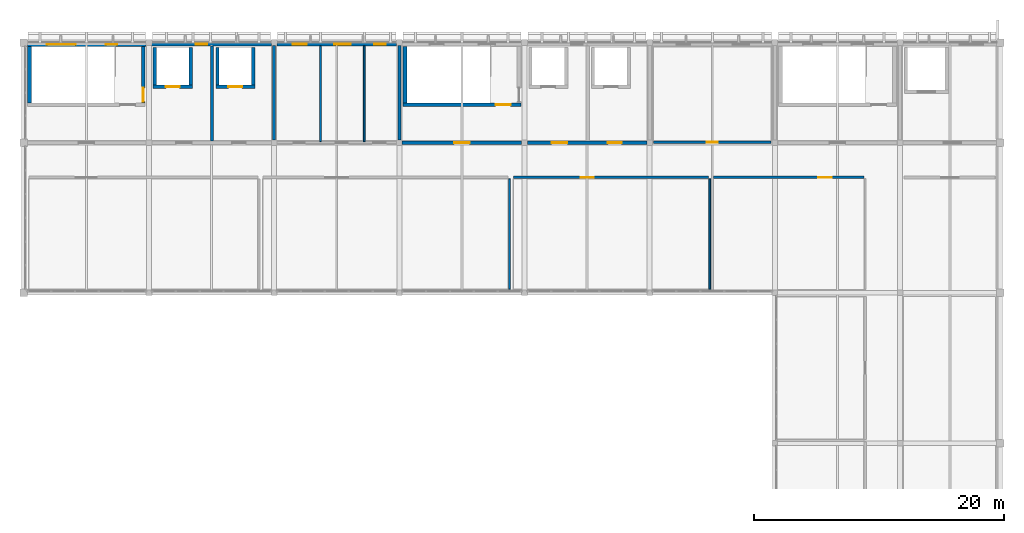
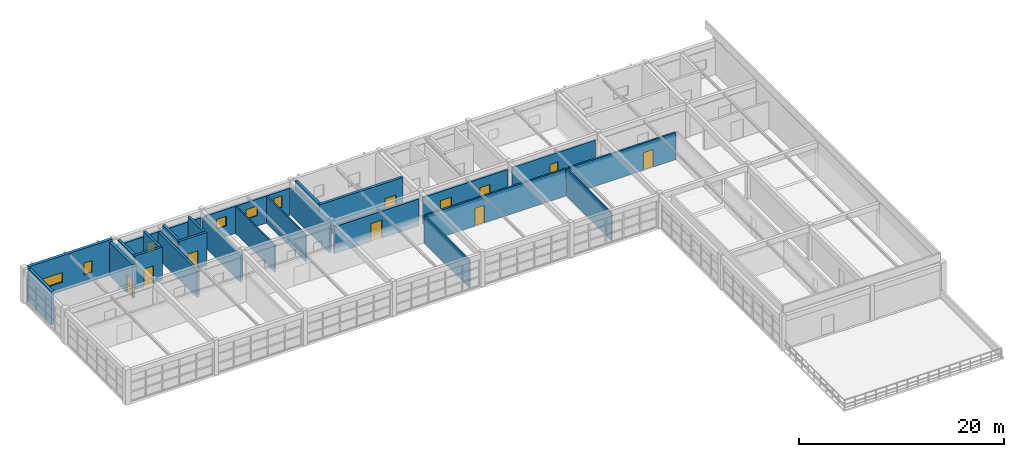
# One storey, part 13 of 16: 25 walls, 10 doors, 6 windows, 16 openings.
"""IFC4 building model written with IfcOpenShell, lengths in metres."""

from ifc_helpers import new_model, si_unit, direction, frame, frame_2d, origin, place, context, subcontext, project, spatial, rectangle, extrude, material, layer, layer_set, type_object, element, fill, save


model = new_model("IFC4")

# Units and contexts
model_context = context("Model", 3, precision=1e-05, world=origin(), true_north=direction((0.0, 1.0)))
body_context = subcontext(model_context, "Body", "Model", "MODEL_VIEW")
ifc_project = project(units=[si_unit("LENGTHUNIT", "METRE"), si_unit("AREAUNIT", "SQUARE_METRE"), si_unit("VOLUMEUNIT", "CUBIC_METRE"), si_unit("PLANEANGLEUNIT", "RADIAN"), si_unit("MASSUNIT", "GRAM", prefix="KILO")], contexts=[model_context])

# Site, building, storey
site_placement = place(None, origin())
site = spatial("IfcSite", under=ifc_project, at=site_placement, CompositionType="ELEMENT")
building_placement = place(site_placement, origin())
building = spatial("IfcBuilding", under=site, at=building_placement, Name="Kivolera Central Railway Station", CompositionType="ELEMENT")
storey_placement = place(building_placement, frame((0.0, 0.0, 27.0)))
storey = spatial("IfcBuildingStorey", under=building, at=storey_placement, Name="L06", CompositionType="ELEMENT", Elevation=27.0)

# Wall, opening, door
ifc_material_1 = material(Name="Swahili coral limestone", Category="masonry")
ifc_layer_1 = layer(ifc_material_1, 0.199951171875, Name="Swahili coral limestone")
ifc_layer_set_1 = layer_set([ifc_layer_1], Name="Swahili coral limestone")
wall_type_1 = type_object("IfcWallType", Name="WL-COR-200", PredefinedType="PARTITIONING", material=ifc_layer_set_1)
wall_1_placement = place(storey_placement, frame((168.300048828125, 126.030029296875, 0.0), z_axis=(0.0, 0.0, 1.0), x_axis=(1.0, 0.0, 0.0)))
wall_1 = element("IfcWall", 1, at=wall_1_placement, inside=storey, type_object=wall_type_1, Name="L06 Rail Safety Examination Classroom Corridor Wall", PredefinedType="PARTITIONING", context=body_context, shape_type="SweptSolid", body=[
    extrude(rectangle(XDim=9.39990234375, YDim=0.199951171875, at=frame_2d((4.699951171875, 0.0))), origin(), (0.0, 0.0, 1.0), 3.218017578125),
])
opening_1_placement = place(wall_1_placement, frame((4.25, 0.0, 0.0)))
opening_1 = element("IfcOpeningElement", 2, at=opening_1_placement, cuts=wall_1, Name="Opening D-SG-01", PredefinedType="OPENING", context=body_context, shape_type="SweptSolid", body=[
    extrude(rectangle(XDim=0.89990234375, YDim=2.10009765625, at=frame_2d((0.449951171875, 1.050048828125))), frame((0.0, 0.10986328125, 0.0), z_axis=(0.0, -1.0, 0.0), x_axis=(1.0, 0.0, 0.0)), (0.0, 0.0, 1.0), 0.219970703125),
])
ifc_material_2 = material(Name="Hardwood mvule timber", Category="wood")
door_type_1 = type_object("IfcDoorType", Name="DR-D-SG-01", OperationType="NOTDEFINED", PredefinedType="DOOR", material=ifc_material_2)
door_1_placement = place(opening_1_placement, origin())
door_1 = element("IfcDoor", 3, at=door_1_placement, inside=storey, type_object=door_type_1, Name="L06 Rail Safety Examination Classroom Door", OperationType="SINGLE_SWING_LEFT", OverallHeight=2.10009765625, OverallWidth=0.89990234375, PredefinedType="DOOR", context=body_context, shape_type="SweptSolid", body=[
    extrude(rectangle(XDim=0.89990234375, YDim=2.10009765625, at=frame_2d((0.449951171875, 1.050048828125))), frame((0.0, 0.02490234375, 0.0), z_axis=(0.0, -1.0, 0.0), x_axis=(1.0, 0.0, 0.0)), (0.0, 0.0, 1.0), 0.050048828125),
])
fill(opening_1, door_1)

wall_2_placement = place(storey_placement, frame((157.10009765625, 123.219970703125, 0.0), z_axis=(0.0, 0.0, 1.0), x_axis=(1.0, 0.0, 0.0)))
wall_2 = element("IfcWall", 4, at=wall_2_placement, inside=storey, type_object=wall_type_1, Name="L06 Network Timetable Planning Office Corridor Wall", PredefinedType="PARTITIONING", context=body_context, shape_type="SweptSolid", body=[
    extrude(rectangle(XDim=15.599853515625, YDim=0.199951171875, at=frame_2d((7.7998046875, 0.0))), origin(), (0.0, 0.0, 1.0), 3.218017578125),
])
opening_2_placement = place(wall_2_placement, frame((5.375, 0.0, 0.0)))
opening_2 = element("IfcOpeningElement", 5, at=opening_2_placement, cuts=wall_2, Name="Opening D-SG-04", PredefinedType="OPENING", context=body_context, shape_type="SweptSolid", body=[
    extrude(rectangle(XDim=1.050048828125, YDim=2.10009765625, at=frame_2d((0.52490234375, 1.050048828125))), frame((0.0, 0.10986328125, 0.0), z_axis=(0.0, -1.0, 0.0), x_axis=(1.0, 0.0, 0.0)), (0.0, 0.0, 1.0), 0.219970703125),
])
door_type_2 = type_object("IfcDoorType", Name="DR-D-SG-04", OperationType="NOTDEFINED", PredefinedType="DOOR", material=ifc_material_2)
door_2_placement = place(opening_2_placement, origin())
door_2 = element("IfcDoor", 6, at=door_2_placement, inside=storey, type_object=door_type_2, Name="L06 Network Timetable Planning Office Door", OperationType="SINGLE_SWING_RIGHT", OverallHeight=2.10009765625, OverallWidth=1.050048828125, PredefinedType="DOOR", context=body_context, shape_type="SweptSolid", body=[
    extrude(rectangle(XDim=1.050048828125, YDim=2.10009765625, at=frame_2d((0.52490234375, 1.050048828125))), frame((0.0, 0.02490234375, 0.0), z_axis=(0.0, -1.0, 0.0), x_axis=(1.0, 0.0, 0.0)), (0.0, 0.0, 1.0), 0.050048828125),
])
fill(opening_2, door_2)

wall_3_placement = place(storey_placement, frame((173.10009765625, 123.219970703125, 0.0), z_axis=(0.0, 0.0, 1.0), x_axis=(1.0, 0.0, 0.0)))
wall_3 = element("IfcWall", 7, at=wall_3_placement, inside=storey, type_object=wall_type_1, Name="L06 Railway Signalling Design Studio Corridor Wall", PredefinedType="PARTITIONING", context=body_context, shape_type="SweptSolid", body=[
    extrude(rectangle(XDim=12.0, YDim=0.199951171875, at=frame_2d((6.0, 0.0))), origin(), (0.0, 0.0, 1.0), 3.218017578125),
])
opening_3_placement = place(wall_3_placement, frame((8.35009765625, 0.0, 0.0)))
opening_3 = element("IfcOpeningElement", 8, at=opening_3_placement, cuts=wall_3, Name="Opening D-SG-05", PredefinedType="OPENING", context=body_context, shape_type="SweptSolid", body=[
    extrude(rectangle(XDim=1.10009765625, YDim=2.10009765625, at=frame_2d((0.550048828125, 1.050048828125))), frame((0.0, 0.10986328125, 0.0), z_axis=(0.0, -1.0, 0.0), x_axis=(1.0, 0.0, 0.0)), (0.0, 0.0, 1.0), 0.219970703125),
])
door_type_3 = type_object("IfcDoorType", Name="DR-D-SG-05", OperationType="NOTDEFINED", PredefinedType="DOOR", material=ifc_material_2)
door_3_placement = place(opening_3_placement, origin())
door_3 = element("IfcDoor", 9, at=door_3_placement, inside=storey, type_object=door_type_3, Name="L06 Railway Signalling Design Studio Door", OperationType="SINGLE_SWING_LEFT", OverallHeight=2.10009765625, OverallWidth=1.10009765625, PredefinedType="DOOR", context=body_context, shape_type="SweptSolid", body=[
    extrude(rectangle(XDim=1.10009765625, YDim=2.10009765625, at=frame_2d((0.550048828125, 1.050048828125))), frame((0.0, 0.02490234375, 0.0), z_axis=(0.0, -1.0, 0.0), x_axis=(1.0, 0.0, 0.0)), (0.0, 0.0, 1.0), 0.050048828125),
])
fill(opening_3, door_3)

ifc_material_3 = material(Name="Concrete C40/50", Category="concrete")
ifc_layer_2 = layer(ifc_material_3, 0.300048828125, Name="Concrete C40/50")
ifc_layer_set_2 = layer_set([ifc_layer_2], Name="Concrete C40/50")
wall_type_2 = type_object("IfcWallType", Name="WL-CORE-300", PredefinedType="SHEAR", material=ifc_layer_set_2)
wall_4_placement = place(storey_placement, frame((127.550048828125, 133.679931640625, 0.0), z_axis=(0.0, 0.0, 1.0), x_axis=(0.0, -1.0, 0.0)))
wall_4 = element("IfcWall", 10, at=wall_4_placement, inside=storey, type_object=wall_type_2, Name="L06 ST1 Core Near Shear Wall", PredefinedType="SHEAR", context=body_context, shape_type="SweptSolid", body=[
    extrude(rectangle(XDim=4.5, YDim=0.300048828125, at=frame_2d((2.25, 0.0))), origin(), (0.0, 0.0, 1.0), 3.97998046875),
])
opening_4_placement = place(wall_4_placement, frame((3.300048828125, 0.0, 0.0)))
opening_4 = element("IfcOpeningElement", 11, at=opening_4_placement, cuts=wall_4, Name="Opening D-FFL-1100", PredefinedType="OPENING", context=body_context, shape_type="SweptSolid", body=[
    extrude(rectangle(XDim=1.10009765625, YDim=2.14990234375, at=frame_2d((0.550048828125, 1.074951171875))), frame((0.0, 0.159912109375, 0.0), z_axis=(0.0, -1.0, 0.0), x_axis=(1.0, 0.0, 0.0)), (0.0, 0.0, 1.0), 0.320068359375),
])
door_type_4 = type_object("IfcDoorType", Name="DR-D-FFL-1100", OperationType="NOTDEFINED", PredefinedType="DOOR", material=ifc_material_2)
door_4_placement = place(opening_4_placement, origin())
door_4 = element("IfcDoor", 12, at=door_4_placement, inside=storey, type_object=door_type_4, Name="L06 Firefighting Lobby to ST1 Fire Door", OperationType="SINGLE_SWING_RIGHT", OverallHeight=2.14990234375, OverallWidth=1.10009765625, PredefinedType="DOOR", context=body_context, shape_type="SweptSolid", body=[
    extrude(rectangle(XDim=1.10009765625, YDim=2.14990234375, at=frame_2d((0.550048828125, 1.074951171875))), frame((0.0, 0.02490234375, 0.0), z_axis=(0.0, -1.0, 0.0), x_axis=(1.0, 0.0, 0.0)), (0.0, 0.0, 1.0), 0.050048828125),
])
fill(opening_4, door_4)

# Wall
wall_5_placement = place(storey_placement, frame((118.449951171875, 129.179931640625, 0.0), z_axis=(0.0, 0.0, 1.0), x_axis=(0.0, 1.0, 0.0)))
element("IfcWall", 13, at=wall_5_placement, inside=storey, type_object=wall_type_2, Name="L06 ST1 Core Far Shear Wall", PredefinedType="SHEAR", context=body_context, shape_type="SweptSolid", body=[
    extrude(rectangle(XDim=4.5, YDim=0.300048828125, at=frame_2d((2.25, 0.0))), origin(), (0.0, 0.0, 1.0), 3.97998046875),
])

# Wall, opening, door
wall_6_placement = place(storey_placement, frame((157.699951171875, 129.030029296875, 0.0), z_axis=(0.0, 0.0, 1.0), x_axis=(-1.0, 0.0, 0.0)))
wall_6 = element("IfcWall", 14, at=wall_6_placement, inside=storey, type_object=wall_type_2, Name="L06 ST2 Core Right Shear Wall", PredefinedType="SHEAR", context=body_context, shape_type="SweptSolid", body=[
    extrude(rectangle(XDim=9.39990234375, YDim=0.300048828125, at=frame_2d((4.699951171875, 0.0))), origin(), (0.0, 0.0, 1.0), 3.97998046875),
])
opening_5_placement = place(wall_6_placement, frame((0.800048828125, 0.0, 0.0)))
opening_5 = element("IfcOpeningElement", 15, at=opening_5_placement, cuts=wall_6, Name="Opening D-STAIR-1200", PredefinedType="OPENING", context=body_context, shape_type="SweptSolid", body=[
    extrude(rectangle(XDim=1.199951171875, YDim=2.14990234375, at=frame_2d((0.60009765625, 1.074951171875))), frame((0.0, 0.159912109375, 0.0), z_axis=(0.0, -1.0, 0.0), x_axis=(1.0, 0.0, 0.0)), (0.0, 0.0, 1.0), 0.320068359375),
])
door_type_5 = type_object("IfcDoorType", Name="DR-D-STAIR-1200", OperationType="NOTDEFINED", PredefinedType="DOOR", material=ifc_material_2)
door_5_placement = place(opening_5_placement, origin())
door_5 = element("IfcDoor", 16, at=door_5_placement, inside=storey, type_object=door_type_5, Name="L06 ST2 Vestibule Fire Door", OperationType="SINGLE_SWING_LEFT", OverallHeight=2.14990234375, OverallWidth=1.199951171875, PredefinedType="DOOR", context=body_context, shape_type="SweptSolid", body=[
    extrude(rectangle(XDim=1.199951171875, YDim=2.14990234375, at=frame_2d((0.60009765625, 1.074951171875))), frame((0.0, 0.02490234375, 0.0), z_axis=(0.0, -1.0, 0.0), x_axis=(1.0, 0.0, 0.0)), (0.0, 0.0, 1.0), 0.050048828125),
])
fill(opening_5, door_5)

# Wall
wall_7_placement = place(storey_placement, frame((148.449951171875, 129.179931640625, 0.0), z_axis=(0.0, 0.0, 1.0), x_axis=(0.0, 1.0, 0.0)))
element("IfcWall", 17, at=wall_7_placement, inside=storey, type_object=wall_type_2, Name="L06 ST2 Core Far Shear Wall", PredefinedType="SHEAR", context=body_context, shape_type="SweptSolid", body=[
    extrude(rectangle(XDim=4.5, YDim=0.300048828125, at=frame_2d((2.25, 0.0))), origin(), (0.0, 0.0, 1.0), 3.97998046875),
])

# Wall, openings, windows
ifc_layer_3 = layer(ifc_material_3, 0.320068359375, Name="Concrete C40/50")
ifc_layer_set_3 = layer_set([ifc_layer_3], Name="Concrete C40/50")
wall_type_3 = type_object("IfcWallType", Name="WL-CORE-EXT-320", PredefinedType="SHEAR", material=ifc_layer_set_3)
wall_8_placement = place(storey_placement, frame((118.294921875, 133.840087890625, 0.0), z_axis=(0.0, 0.0, 1.0), x_axis=(1.0, 0.0, 0.0)))
wall_8 = element("IfcWall", 18, at=wall_8_placement, inside=storey, type_object=wall_type_3, Name="L06 North Street Facade Wall Bay 1", PredefinedType="SHEAR", context=body_context, shape_type="SweptSolid", body=[
    extrude(rectangle(XDim=9.485107421875, YDim=0.320068359375, at=frame_2d((4.74267578125, 0.0))), origin(), (0.0, 0.0, 1.0), 4.199951171875),
])
opening_6_placement = place(wall_8_placement, frame((1.554931640625, 0.0, 1.050048828125)))
opening_6 = element("IfcOpeningElement", 19, at=opening_6_placement, cuts=wall_8, Name="Opening WN-08", PredefinedType="OPENING", context=body_context, shape_type="SweptSolid", body=[
    extrude(rectangle(XDim=2.300048828125, YDim=1.14990234375, at=frame_2d((1.14990234375, 0.574951171875))), frame((0.0, 0.169921875, 0.0), z_axis=(0.0, -1.0, 0.0), x_axis=(1.0, 0.0, 0.0)), (0.0, 0.0, 1.0), 0.340087890625),
])
opening_7_placement = place(wall_8_placement, frame((6.2548828125, 0.0, 1.050048828125)))
opening_7 = element("IfcOpeningElement", 20, at=opening_7_placement, cuts=wall_8, Name="Opening WN-13", PredefinedType="OPENING", context=body_context, shape_type="SweptSolid", body=[
    extrude(rectangle(XDim=0.89990234375, YDim=1.39990234375, at=frame_2d((0.449951171875, 0.699951171875))), frame((0.0, 0.169921875, 0.0), z_axis=(0.0, -1.0, 0.0), x_axis=(1.0, 0.0, 0.0)), (0.0, 0.0, 1.0), 0.340087890625),
])
ifc_material_4 = material(Name="Double low-E laminated glass", Category="glass")
window_type_1 = type_object("IfcWindowType", Name="WIN-WN-08", PartitioningType="SINGLE_PANEL", PredefinedType="WINDOW", material=ifc_material_4)
window_1_placement = place(opening_6_placement, origin())
window_1 = element("IfcWindow", 21, at=window_1_placement, inside=storey, type_object=window_type_1, Name="L06 North Street Window Bay 1.1", OverallHeight=1.14990234375, OverallWidth=2.300048828125, PartitioningType="SINGLE_PANEL", PredefinedType="WINDOW", context=body_context, shape_type="SweptSolid", body=[
    extrude(rectangle(XDim=2.300048828125, YDim=1.14990234375, at=frame_2d((1.14990234375, 0.574951171875))), frame((0.0, 0.030029296875, 0.0), z_axis=(0.0, -1.0, 0.0), x_axis=(1.0, 0.0, 0.0)), (0.0, 0.0, 1.0), 0.06005859375),
])
fill(opening_6, window_1)
window_type_2 = type_object("IfcWindowType", Name="WIN-WN-13", PartitioningType="SINGLE_PANEL", PredefinedType="WINDOW", material=ifc_material_4)
window_2_placement = place(opening_7_placement, origin())
window_2 = element("IfcWindow", 22, at=window_2_placement, inside=storey, type_object=window_type_2, Name="L06 North Street Window Bay 1.2", OverallHeight=1.39990234375, OverallWidth=0.89990234375, PartitioningType="SINGLE_PANEL", PredefinedType="WINDOW", context=body_context, shape_type="SweptSolid", body=[
    extrude(rectangle(XDim=0.89990234375, YDim=1.39990234375, at=frame_2d((0.449951171875, 0.699951171875))), frame((0.0, 0.030029296875, 0.0), z_axis=(0.0, -1.0, 0.0), x_axis=(1.0, 0.0, 0.0)), (0.0, 0.0, 1.0), 0.06005859375),
])
fill(opening_7, window_2)

# Wall, opening, window
ifc_layer_4 = layer(ifc_material_1, 0.27001953125, Name="Swahili coral limestone")
ifc_layer_set_4 = layer_set([ifc_layer_4], Name="Swahili coral limestone")
wall_type_4 = type_object("IfcWallType", Name="WL-EXT-CORAL-270", PredefinedType="SOLIDWALL", material=ifc_layer_set_4)
wall_9_placement = place(storey_placement, frame((128.219970703125, 133.864990234375, 0.0), z_axis=(0.0, 0.0, 1.0), x_axis=(1.0, 0.0, 0.0)))
wall_9 = element("IfcWall", 23, at=wall_9_placement, inside=storey, type_object=wall_type_4, Name="L06 North Street Facade Wall Bay 2", PredefinedType="SOLIDWALL", context=body_context, shape_type="SweptSolid", body=[
    extrude(rectangle(XDim=9.56005859375, YDim=0.27001953125, at=frame_2d((4.780029296875, 0.0))), origin(), (0.0, 0.0, 1.0), 3.218017578125),
])
opening_8_placement = place(wall_9_placement, frame((3.530029296875, 0.0, 1.050048828125)))
opening_8 = element("IfcOpeningElement", 24, at=opening_8_placement, cuts=wall_9, Name="Opening WN-01", PredefinedType="OPENING", context=body_context, shape_type="SweptSolid", body=[
    extrude(rectangle(XDim=0.89990234375, YDim=1.14990234375, at=frame_2d((0.449951171875, 0.574951171875))), frame((0.0, 0.14501953125, 0.0), z_axis=(0.0, -1.0, 0.0), x_axis=(1.0, 0.0, 0.0)), (0.0, 0.0, 1.0), 0.2900390625),
])
window_type_3 = type_object("IfcWindowType", Name="WIN-WN-01", PartitioningType="SINGLE_PANEL", PredefinedType="WINDOW", material=ifc_material_4)
window_3_placement = place(opening_8_placement, origin())
window_3 = element("IfcWindow", 25, at=window_3_placement, inside=storey, type_object=window_type_3, Name="L06 North Street Window Bay 2.1", OverallHeight=1.14990234375, OverallWidth=0.89990234375, PartitioningType="SINGLE_PANEL", PredefinedType="WINDOW", context=body_context, shape_type="SweptSolid", body=[
    extrude(rectangle(XDim=0.89990234375, YDim=1.14990234375, at=frame_2d((0.449951171875, 0.574951171875))), frame((0.0, 0.030029296875, 0.0), z_axis=(0.0, -1.0, 0.0), x_axis=(1.0, 0.0, 0.0)), (0.0, 0.0, 1.0), 0.06005859375),
])
fill(opening_8, window_3)

# Wall, openings, windows
wall_10_placement = place(storey_placement, frame((138.219970703125, 133.864990234375, 0.0), z_axis=(0.0, 0.0, 1.0), x_axis=(1.0, 0.0, 0.0)))
wall_10 = element("IfcWall", 26, at=wall_10_placement, inside=storey, type_object=wall_type_4, Name="L06 North Street Facade Wall Bay 3", PredefinedType="SOLIDWALL", context=body_context, shape_type="SweptSolid", body=[
    extrude(rectangle(XDim=9.56005859375, YDim=0.27001953125, at=frame_2d((4.780029296875, 0.0))), origin(), (0.0, 0.0, 1.0), 3.218017578125),
])
opening_9_placement = place(wall_10_placement, frame((1.280029296875, 0.0, 1.25)))
opening_9 = element("IfcOpeningElement", 27, at=opening_9_placement, cuts=wall_10, Name="Opening WN-02", PredefinedType="OPENING", context=body_context, shape_type="SweptSolid", body=[
    extrude(rectangle(XDim=1.10009765625, YDim=1.14990234375, at=frame_2d((0.550048828125, 0.574951171875))), frame((0.0, 0.14501953125, 0.0), z_axis=(0.0, -1.0, 0.0), x_axis=(1.0, 0.0, 0.0)), (0.0, 0.0, 1.0), 0.2900390625),
])
opening_10_placement = place(wall_10_placement, frame((4.580078125, 0.0, 1.25)))
opening_10 = element("IfcOpeningElement", 28, at=opening_10_placement, cuts=wall_10, Name="Opening WN-03", PredefinedType="OPENING", context=body_context, shape_type="SweptSolid", body=[
    extrude(rectangle(XDim=1.300048828125, YDim=1.14990234375, at=frame_2d((0.64990234375, 0.574951171875))), frame((0.0, 0.14501953125, 0.0), z_axis=(0.0, -1.0, 0.0), x_axis=(1.0, 0.0, 0.0)), (0.0, 0.0, 1.0), 0.2900390625),
])
opening_11_placement = place(wall_10_placement, frame((7.780029296875, 0.0, 1.25)))
opening_11 = element("IfcOpeningElement", 29, at=opening_11_placement, cuts=wall_10, Name="Opening WN-13", PredefinedType="OPENING", context=body_context, shape_type="SweptSolid", body=[
    extrude(rectangle(XDim=0.89990234375, YDim=1.39990234375, at=frame_2d((0.449951171875, 0.699951171875))), frame((0.0, 0.14501953125, 0.0), z_axis=(0.0, -1.0, 0.0), x_axis=(1.0, 0.0, 0.0)), (0.0, 0.0, 1.0), 0.2900390625),
])
window_type_4 = type_object("IfcWindowType", Name="WIN-WN-02", PartitioningType="SINGLE_PANEL", PredefinedType="WINDOW", material=ifc_material_4)
window_4_placement = place(opening_9_placement, origin())
window_4 = element("IfcWindow", 30, at=window_4_placement, inside=storey, type_object=window_type_4, Name="L06 North Street Window Bay 3.1", OverallHeight=1.14990234375, OverallWidth=1.10009765625, PartitioningType="SINGLE_PANEL", PredefinedType="WINDOW", context=body_context, shape_type="SweptSolid", body=[
    extrude(rectangle(XDim=1.10009765625, YDim=1.14990234375, at=frame_2d((0.550048828125, 0.574951171875))), frame((0.0, 0.030029296875, 0.0), z_axis=(0.0, -1.0, 0.0), x_axis=(1.0, 0.0, 0.0)), (0.0, 0.0, 1.0), 0.06005859375),
])
fill(opening_9, window_4)
window_type_5 = type_object("IfcWindowType", Name="WIN-WN-03", PartitioningType="SINGLE_PANEL", PredefinedType="WINDOW", material=ifc_material_4)
window_5_placement = place(opening_10_placement, origin())
window_5 = element("IfcWindow", 31, at=window_5_placement, inside=storey, type_object=window_type_5, Name="L06 North Street Window Bay 3.2", OverallHeight=1.14990234375, OverallWidth=1.300048828125, PartitioningType="SINGLE_PANEL", PredefinedType="WINDOW", context=body_context, shape_type="SweptSolid", body=[
    extrude(rectangle(XDim=1.300048828125, YDim=1.14990234375, at=frame_2d((0.64990234375, 0.574951171875))), frame((0.0, 0.030029296875, 0.0), z_axis=(0.0, -1.0, 0.0), x_axis=(1.0, 0.0, 0.0)), (0.0, 0.0, 1.0), 0.06005859375),
])
fill(opening_10, window_5)
window_6_placement = place(opening_11_placement, origin())
window_6 = element("IfcWindow", 32, at=window_6_placement, inside=storey, type_object=window_type_2, Name="L06 North Street Window Bay 3.3", OverallHeight=1.39990234375, OverallWidth=0.89990234375, PartitioningType="SINGLE_PANEL", PredefinedType="WINDOW", context=body_context, shape_type="SweptSolid", body=[
    extrude(rectangle(XDim=0.89990234375, YDim=1.39990234375, at=frame_2d((0.449951171875, 0.699951171875))), frame((0.0, 0.030029296875, 0.0), z_axis=(0.0, -1.0, 0.0), x_axis=(1.0, 0.0, 0.0)), (0.0, 0.0, 1.0), 0.06005859375),
])
fill(opening_11, window_6)

# Wall, opening, door
ifc_layer_5 = layer(ifc_material_3, 0.25, Name="Concrete C40/50")
ifc_layer_set_5 = layer_set([ifc_layer_5], Name="Concrete C40/50")
wall_type_5 = type_object("IfcWallType", Name="WL-FFL-250", PredefinedType="PARTITIONING", material=ifc_layer_set_5)
wall_11_placement = place(storey_placement, frame((148.22998046875, 126.0, 0.0), z_axis=(0.0, 0.0, 1.0), x_axis=(1.0, 0.0, 0.0)))
wall_11 = element("IfcWall", 33, at=wall_11_placement, inside=storey, type_object=wall_type_5, Name="L06 North Core Corridor Wall 148", PredefinedType="PARTITIONING", context=body_context, shape_type="SweptSolid", body=[
    extrude(rectangle(XDim=9.5400390625, YDim=0.25, at=frame_2d((4.77001953125, 0.0))), origin(), (0.0, 0.0, 1.0), 3.218017578125),
])
opening_12_placement = place(wall_11_placement, frame((4.14501953125, 0.0, 0.0)))
opening_12 = element("IfcOpeningElement", 34, at=opening_12_placement, cuts=wall_11, Name="Opening D-FFL-1250", PredefinedType="OPENING", context=body_context, shape_type="SweptSolid", body=[
    extrude(rectangle(XDim=1.25, YDim=2.14990234375, at=frame_2d((0.625, 1.074951171875))), frame((0.0, 0.135009765625, 0.0), z_axis=(0.0, -1.0, 0.0), x_axis=(1.0, 0.0, 0.0)), (0.0, 0.0, 1.0), 0.27001953125),
])
door_type_6 = type_object("IfcDoorType", Name="DR-D-FFL-1250", OperationType="NOTDEFINED", PredefinedType="DOOR", material=ifc_material_2)
door_6_placement = place(opening_12_placement, origin())
door_6 = element("IfcDoor", 35, at=door_6_placement, inside=storey, type_object=door_type_6, Name="L06 ST2 Vestibule Corridor Door", OperationType="SINGLE_SWING_RIGHT", OverallHeight=2.14990234375, OverallWidth=1.25, PredefinedType="DOOR", context=body_context, shape_type="SweptSolid", body=[
    extrude(rectangle(XDim=1.25, YDim=2.14990234375, at=frame_2d((0.625, 1.074951171875))), frame((0.0, 0.02490234375, 0.0), z_axis=(0.0, -1.0, 0.0), x_axis=(1.0, 0.0, 0.0)), (0.0, 0.0, 1.0), 0.050048828125),
])
fill(opening_12, door_6)

# Wall, openings, doors
wall_12_placement = place(storey_placement, frame((158.22998046875, 126.0, 0.0), z_axis=(0.0, 0.0, 1.0), x_axis=(1.0, 0.0, 0.0)))
wall_12 = element("IfcWall", 36, at=wall_12_placement, inside=storey, type_object=wall_type_5, Name="L06 North Core Corridor Wall 158", PredefinedType="PARTITIONING", context=body_context, shape_type="SweptSolid", body=[
    extrude(rectangle(XDim=9.5400390625, YDim=0.25, at=frame_2d((4.77001953125, 0.0))), origin(), (0.0, 0.0, 1.0), 3.218017578125),
])
opening_13_placement = place(wall_12_placement, frame((1.945068359375, 0.0, 0.0)))
opening_13 = element("IfcOpeningElement", 37, at=opening_13_placement, cuts=wall_12, Name="Opening D-FFL-1250", PredefinedType="OPENING", context=body_context, shape_type="SweptSolid", body=[
    extrude(rectangle(XDim=1.25, YDim=2.14990234375, at=frame_2d((0.625, 1.074951171875))), frame((0.0, 0.135009765625, 0.0), z_axis=(0.0, -1.0, 0.0), x_axis=(1.0, 0.0, 0.0)), (0.0, 0.0, 1.0), 0.27001953125),
])
opening_14_placement = place(wall_12_placement, frame((6.419921875, 0.0, 0.0)))
opening_14 = element("IfcOpeningElement", 38, at=opening_14_placement, cuts=wall_12, Name="Opening D-FFL-1100", PredefinedType="OPENING", context=body_context, shape_type="SweptSolid", body=[
    extrude(rectangle(XDim=1.10009765625, YDim=2.14990234375, at=frame_2d((0.550048828125, 1.074951171875))), frame((0.0, 0.135009765625, 0.0), z_axis=(0.0, -1.0, 0.0), x_axis=(1.0, 0.0, 0.0)), (0.0, 0.0, 1.0), 0.27001953125),
])
door_7_placement = place(opening_14_placement, origin())
door_7 = element("IfcDoor", 39, at=door_7_placement, inside=storey, type_object=door_type_4, Name="L06 PL2 Lift Lobby Door", OperationType="SINGLE_SWING_RIGHT", OverallHeight=2.14990234375, OverallWidth=1.10009765625, PredefinedType="DOOR", context=body_context, shape_type="SweptSolid", body=[
    extrude(rectangle(XDim=1.10009765625, YDim=2.14990234375, at=frame_2d((0.550048828125, 1.074951171875))), frame((0.0, 0.02490234375, 0.0), z_axis=(0.0, -1.0, 0.0), x_axis=(1.0, 0.0, 0.0)), (0.0, 0.0, 1.0), 0.050048828125),
])
fill(opening_14, door_7)
door_8_placement = place(opening_13_placement, origin())
door_8 = element("IfcDoor", 40, at=door_8_placement, inside=storey, type_object=door_type_6, Name="L06 FL2 Firefighting Lobby Corridor Fire Door", OperationType="SINGLE_SWING_LEFT", OverallHeight=2.14990234375, OverallWidth=1.25, PredefinedType="DOOR", context=body_context, shape_type="SweptSolid", body=[
    extrude(rectangle(XDim=1.25, YDim=2.14990234375, at=frame_2d((0.625, 1.074951171875))), frame((0.0, 0.02490234375, 0.0), z_axis=(0.0, -1.0, 0.0), x_axis=(1.0, 0.0, 0.0)), (0.0, 0.0, 1.0), 0.050048828125),
])
fill(opening_13, door_8)

# Walls
wall_13_placement = place(storey_placement, frame((133.050048828125, 126.125, 0.0), z_axis=(0.0, 0.0, 1.0), x_axis=(0.0, 1.0, 0.0)))
element("IfcWall", 41, at=wall_13_placement, inside=storey, type_object=wall_type_5, Name="L06 North Core Partition FFL1-DIV", PredefinedType="PARTITIONING", context=body_context, shape_type="SweptSolid", body=[
    extrude(rectangle(XDim=7.60498046875, YDim=0.25, at=frame_2d((3.802490234375, 0.0))), origin(), (0.0, 0.0, 1.0), 3.218017578125),
])
for number, where, z_axis, x_axis, name in (
    (42, (138.0, 126.22998046875, 0.0), (0.0, 0.0, 1.0), (0.0, 1.0, 0.0), "L06 North Core Partition GRID-138"),
    (43, (148.0, 126.22998046875, 0.0), (0.0, 0.0, 1.0), (0.0, 1.0, 0.0), "L06 North Core Partition GRID-148"),
):
    element("IfcWall", number, at=place(storey_placement, frame(where, z_axis=z_axis, x_axis=x_axis)), inside=storey, type_object=wall_type_5, Name=name, PredefinedType="PARTITIONING", context=body_context, shape_type="SweptSolid", body=[
        extrude(rectangle(XDim=7.5400390625, YDim=0.25, at=frame_2d((3.77001953125, 0.0))), origin(), (0.0, 0.0, 1.0), 3.218017578125),
    ])
ifc_material_5 = material(Name="Gypsum plasterboard steel-stud partition")
ifc_layer_6 = layer(ifc_material_5, 0.135009765625, Name="Gypsum plasterboard steel-stud partition")
ifc_layer_set_6 = layer_set([ifc_layer_6], Name="Gypsum plasterboard steel-stud partition")
wall_type_6 = type_object("IfcWallType", Name="WL-PRT-135", PredefinedType="PARTITIONING", material=ifc_layer_set_6)
wall_14_placement = place(storey_placement, frame((172.800048828125, 114.300048828125, 0.0), z_axis=(0.0, 0.0, 1.0), x_axis=(0.0, 1.0, 0.0)))
element("IfcWall", 44, at=wall_14_placement, inside=storey, type_object=wall_type_6, Name="L06 Network Timetable Planning Office Partition Wall", PredefinedType="PARTITIONING", context=body_context, shape_type="SweptSolid", body=[
    extrude(rectangle(XDim=8.800048828125, YDim=0.135009765625, at=frame_2d((4.39990234375, 0.0))), origin(), (0.0, 0.0, 1.0), 3.318115234375),
])
ifc_layer_7 = layer(ifc_material_5, 0.14990234375, Name="Gypsum plasterboard steel-stud partition")
ifc_layer_set_7 = layer_set([ifc_layer_7], Name="Gypsum plasterboard steel-stud partition")
wall_type_7 = type_object("IfcWallType", Name="WL-PRT-150", PredefinedType="PARTITIONING", material=ifc_layer_set_7)
for number, where, z_axis, x_axis, name in (
    (45, (141.699951171875, 126.074951171875, 0.0), (0.0, 0.0, 1.0), (0.0, 1.0, 0.0), "L06 North Core Partition WC-DIV1"),
    (46, (145.199951171875, 126.074951171875, 0.0), (0.0, 0.0, 1.0), (0.0, 1.0, 0.0), "L06 North Core Partition WC-DIV2"),
):
    element("IfcWall", number, at=place(storey_placement, frame(where, z_axis=z_axis, x_axis=x_axis)), inside=storey, type_object=wall_type_7, Name=name, PredefinedType="PARTITIONING", context=body_context, shape_type="SweptSolid", body=[
        extrude(rectangle(XDim=7.655029296875, YDim=0.14990234375, at=frame_2d((3.82763671875, 0.0))), origin(), (0.0, 0.0, 1.0), 3.218017578125),
    ])
wall_15_placement = place(storey_placement, frame((156.800048828125, 114.300048828125, 0.0), z_axis=(0.0, 0.0, 1.0), x_axis=(0.0, 1.0, 0.0)))
element("IfcWall", 47, at=wall_15_placement, inside=storey, type_object=wall_type_7, Name="L06 Locomotive Driver Simulator Studio Partition Wall", PredefinedType="PARTITIONING", context=body_context, shape_type="SweptSolid", body=[
    extrude(rectangle(XDim=8.800048828125, YDim=0.14990234375, at=frame_2d((4.39990234375, 0.0))), origin(), (0.0, 0.0, 1.0), 3.318115234375),
])

# Wall, opening, door
ifc_layer_8 = layer(ifc_material_3, 0.260009765625, Name="Concrete C40/50")
ifc_layer_set_8 = layer_set([ifc_layer_8], Name="Concrete C40/50")
wall_type_8 = type_object("IfcWallType", Name="WL-SHAFT-260", PredefinedType="SHEAR", material=ifc_layer_set_8)
wall_16_placement = place(storey_placement, frame((128.340087890625, 130.469970703125, 0.0), z_axis=(0.0, 0.0, 1.0), x_axis=(1.0, 0.0, 0.0)))
wall_16 = element("IfcWall", 48, at=wall_16_placement, inside=storey, type_object=wall_type_8, Name="L06 Lift FL1 Front Shaft Wall", PredefinedType="SHEAR", context=body_context, shape_type="SweptSolid", body=[
    extrude(rectangle(XDim=3.119873046875, YDim=0.260009765625, at=frame_2d((1.56005859375, 0.0))), origin(), (0.0, 0.0, 1.0), 3.97998046875),
])
opening_15_placement = place(wall_16_placement, frame((1.010009765625, 0.0, 0.0)))
opening_15 = element("IfcOpeningElement", 49, at=opening_15_placement, cuts=wall_16, Name="Opening LD-FFL-1100", PredefinedType="OPENING", context=body_context, shape_type="SweptSolid", body=[
    extrude(rectangle(XDim=1.10009765625, YDim=2.10009765625, at=frame_2d((0.550048828125, 1.050048828125))), frame((0.0, 0.139892578125, 0.0), z_axis=(0.0, -1.0, 0.0), x_axis=(1.0, 0.0, 0.0)), (0.0, 0.0, 1.0), 0.280029296875),
])
ifc_material_6 = material(Name="Anodised aluminium", Category="aluminium")
door_type_7 = type_object("IfcDoorType", Name="DR-LD-FFL-1100", OperationType="NOTDEFINED", PredefinedType="DOOR", material=ifc_material_6)
door_9_placement = place(opening_15_placement, origin())
door_9 = element("IfcDoor", 50, at=door_9_placement, inside=storey, type_object=door_type_7, Name="L06 Lift FL1 Sliding Landing Door", OperationType="SLIDING_TO_LEFT", OverallHeight=2.10009765625, OverallWidth=1.10009765625, PredefinedType="DOOR", context=body_context, shape_type="SweptSolid", body=[
    extrude(rectangle(XDim=1.10009765625, YDim=2.10009765625, at=frame_2d((0.550048828125, 1.050048828125))), frame((0.0, 0.02490234375, 0.0), z_axis=(0.0, -1.0, 0.0), x_axis=(1.0, 0.0, 0.0)), (0.0, 0.0, 1.0), 0.050048828125),
])
fill(opening_15, door_9)

# Walls
for number, where, z_axis, x_axis, name in (
    (51, (128.469970703125, 130.60009765625, 0.0), (0.0, 0.0, 1.0), (0.0, 1.0, 0.0), "L06 Lift FL1 West Shaft Wall"),
    (52, (131.330078125, 130.60009765625, 0.0), (0.0, 0.0, 1.0), (0.0, 1.0, 0.0), "L06 Lift FL1 East Shaft Wall"),
):
    element("IfcWall", number, at=place(storey_placement, frame(where, z_axis=z_axis, x_axis=x_axis)), inside=storey, type_object=wall_type_8, Name=name, PredefinedType="SHEAR", context=body_context, shape_type="SweptSolid", body=[
        extrude(rectangle(XDim=3.0, YDim=0.260009765625, at=frame_2d((1.5, 0.0))), origin(), (0.0, 0.0, 1.0), 3.97998046875),
    ])

# Wall, opening, door
wall_17_placement = place(storey_placement, frame((133.340087890625, 130.469970703125, 0.0), z_axis=(0.0, 0.0, 1.0), x_axis=(1.0, 0.0, 0.0)))
wall_17 = element("IfcWall", 53, at=wall_17_placement, inside=storey, type_object=wall_type_8, Name="L06 Lift PL1 Front Shaft Wall", PredefinedType="SHEAR", context=body_context, shape_type="SweptSolid", body=[
    extrude(rectangle(XDim=3.119873046875, YDim=0.260009765625, at=frame_2d((1.56005859375, 0.0))), origin(), (0.0, 0.0, 1.0), 3.97998046875),
])
opening_16_placement = place(wall_17_placement, frame((1.010009765625, 0.0, 0.0)))
opening_16 = element("IfcOpeningElement", 54, at=opening_16_placement, cuts=wall_17, Name="Opening LD-PAX-1100", PredefinedType="OPENING", context=body_context, shape_type="SweptSolid", body=[
    extrude(rectangle(XDim=1.10009765625, YDim=2.14990234375, at=frame_2d((0.550048828125, 1.074951171875))), frame((0.0, 0.139892578125, 0.0), z_axis=(0.0, -1.0, 0.0), x_axis=(1.0, 0.0, 0.0)), (0.0, 0.0, 1.0), 0.280029296875),
])
door_type_8 = type_object("IfcDoorType", Name="DR-LD-PAX-1100", OperationType="NOTDEFINED", PredefinedType="DOOR", material=ifc_material_6)
door_10_placement = place(opening_16_placement, origin())
door_10 = element("IfcDoor", 55, at=door_10_placement, inside=storey, type_object=door_type_8, Name="L06 Lift PL1 Sliding Landing Door", OperationType="SLIDING_TO_LEFT", OverallHeight=2.14990234375, OverallWidth=1.10009765625, PredefinedType="DOOR", context=body_context, shape_type="SweptSolid", body=[
    extrude(rectangle(XDim=1.10009765625, YDim=2.14990234375, at=frame_2d((0.550048828125, 1.074951171875))), frame((0.0, 0.02490234375, 0.0), z_axis=(0.0, -1.0, 0.0), x_axis=(1.0, 0.0, 0.0)), (0.0, 0.0, 1.0), 0.050048828125),
])
fill(opening_16, door_10)

# Walls
for number, where, z_axis, x_axis, name in (
    (56, (133.469970703125, 130.60009765625, 0.0), (0.0, 0.0, 1.0), (0.0, 1.0, 0.0), "L06 Lift PL1 West Shaft Wall"),
    (57, (136.330078125, 130.60009765625, 0.0), (0.0, 0.0, 1.0), (0.0, 1.0, 0.0), "L06 Lift PL1 East Shaft Wall"),
):
    element("IfcWall", number, at=place(storey_placement, frame(where, z_axis=z_axis, x_axis=x_axis)), inside=storey, type_object=wall_type_8, Name=name, PredefinedType="SHEAR", context=body_context, shape_type="SweptSolid", body=[
        extrude(rectangle(XDim=3.0, YDim=0.260009765625, at=frame_2d((1.5, 0.0))), origin(), (0.0, 0.0, 1.0), 3.97998046875),
    ])

save(model, "model.ifc")
